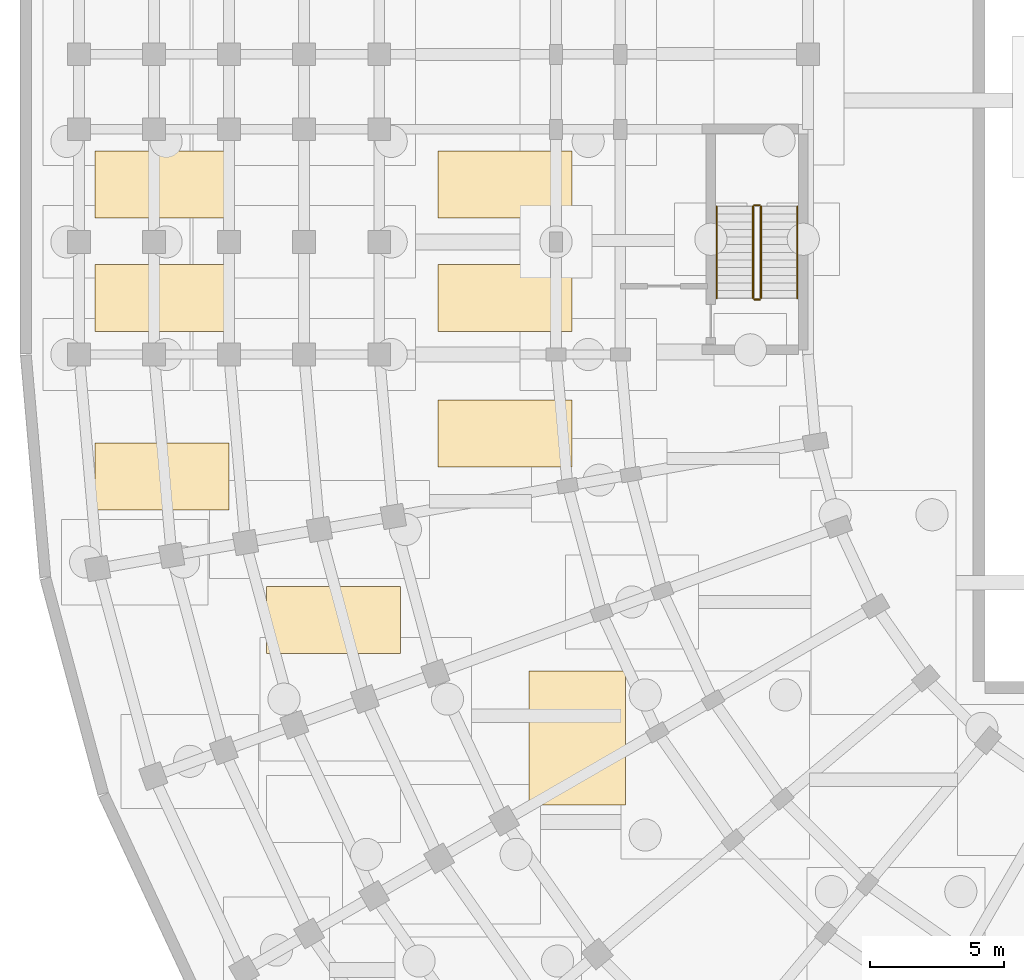
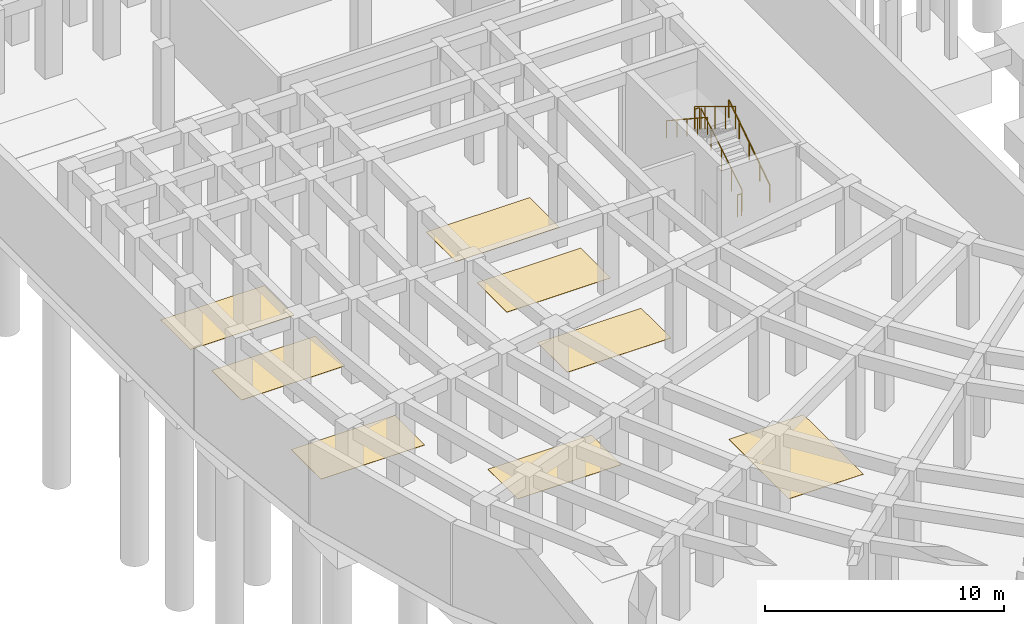
# One storey, part 42 of 53: 8 coverings, 6 railings.
"""IFC4 building model written with IfcOpenShell, lengths in metres."""

import ifcopenshell
import ifcopenshell.guid

model = None  # the IFC model being written
_history = None  # IfcOwnerHistory: only IFC2X3 demands one
_inside = {}  # id of a spatial element -> (the spatial element, [elements in it])
_under = {}  # id of a project, library or spatial element -> (it, [spatial elements below it])
_declared = {}  # id of a project -> (the project, [libraries it declares])
_typed = {}  # id of a type object -> (the type object, [elements of that type])
_made_of = {}  # id of a material, layer set ... -> (it, [elements and type objects made of it])


def new_model(schema):
    """Start an empty IFC model of exactly this schema.

    Asked for "IFC4X3", IfcOpenShell would pick the latest addendum, in which some entities
    have other attributes; the version numbers below select the first issue.
    IFC2X3 requires an IfcOwnerHistory on every rooted entity: one is made here for all.
    """
    global model, _history
    if schema == "IFC4X3":
        model = ifcopenshell.file(schema_version=(4, 3, 0, 0))
    else:
        model = ifcopenshell.file(schema=schema)
    _inside.clear()
    _under.clear()
    _declared.clear()
    _typed.clear()
    _made_of.clear()
    _history = None
    if model.schema == "IFC2X3":
        org = make("IfcOrganization", Name="unknown")
        user = make(
            "IfcPersonAndOrganization",
            ThePerson=make("IfcPerson", FamilyName="unknown"),
            TheOrganization=org,
        )
        app = make(
            "IfcApplication",
            ApplicationDeveloper=org,
            Version="unknown",
            ApplicationFullName="unknown",
            ApplicationIdentifier="unknown",
        )
        _history = make(
            "IfcOwnerHistory",
            OwningUser=user,
            OwningApplication=app,
            ChangeAction="ADDED",
            CreationDate=0,
        )
    return model


def make(cls, **values):
    """One entity of the class cls with the attributes given. An attribute that is None is left unset."""
    return model.create_entity(
        cls, **{name: value for name, value in values.items() if value is not None}
    )


def rooted(cls, **values):
    """An entity with a GlobalId (a new one), such as an element, a storey or a relation."""
    return make(cls, GlobalId=ifcopenshell.guid.new(), OwnerHistory=_history, **values)


def si_unit(unit_type, name, prefix=None):
    """IfcSIUnit, for example si_unit("LENGTHUNIT", "METRE", prefix="MILLI")."""
    return make("IfcSIUnit", UnitType=unit_type, Prefix=prefix, Name=name)


def assignment(units):
    """IfcUnitAssignment: the units of a project."""
    return None if units is None else make("IfcUnitAssignment", Units=units)


def point(xyz):
    """IfcCartesianPoint."""
    return None if xyz is None else make("IfcCartesianPoint", Coordinates=xyz)


def direction(xyz):
    """IfcDirection."""
    return None if xyz is None else make("IfcDirection", DirectionRatios=xyz)


def frame(location, z_axis=None, x_axis=None):
    """IfcAxis2Placement3D, a coordinate frame: its origin and axes. An axis left out is left unset."""
    return make(
        "IfcAxis2Placement3D",
        Location=point(location),
        Axis=direction(z_axis),
        RefDirection=direction(x_axis),
    )


def frame_2d(location, x_axis=None):
    """IfcAxis2Placement2D, a coordinate frame in the plane: its origin and x axis."""
    return make(
        "IfcAxis2Placement2D", Location=point(location), RefDirection=direction(x_axis)
    )


def origin():
    """The frame at (0, 0, 0) with its axes left unset."""
    return frame((0.0, 0.0, 0.0))


def origin_2d():
    """The frame at (0, 0) in the plane with its x axis left unset."""
    return frame_2d((0.0, 0.0))


def place(relative_to, where):
    """IfcLocalPlacement: puts the frame where relative to a parent placement (None: the world)."""
    return make(
        "IfcLocalPlacement", PlacementRelTo=relative_to, RelativePlacement=where
    )


def context(
    kind, dimensions, precision=None, world=None, true_north=None, identifier=None
):
    """IfcGeometricRepresentationContext, for example the 3D "Model" context."""
    return make(
        "IfcGeometricRepresentationContext",
        ContextIdentifier=identifier,
        ContextType=kind,
        CoordinateSpaceDimension=dimensions,
        Precision=precision,
        WorldCoordinateSystem=world,
        TrueNorth=true_north,
    )


def subcontext(parent, identifier, kind, view, scale=None):
    """IfcGeometricRepresentationSubContext, for example "Body" below "Model"."""
    return make(
        "IfcGeometricRepresentationSubContext",
        ContextIdentifier=identifier,
        ContextType=kind,
        ParentContext=parent,
        TargetScale=scale,
        TargetView=view,
    )


def project(units=None, contexts=None):
    """IfcProject with its units and contexts."""
    return rooted(
        "IfcProject",
        Name="project",
        RepresentationContexts=contexts,
        UnitsInContext=assignment(units),
    )


def spatial(cls, under=None, at=None, **own):
    """A site, building, storey or space (cls), placed at a placement, below another one or the project."""
    s = rooted(cls, ObjectPlacement=at, **own)
    if under is not None:
        _under.setdefault(under.id(), (under, []))[1].append(s)
    return s


def polyline(points):
    """IfcPolyline through the points."""
    return make("IfcPolyline", Points=[point(p) for p in points])


def profile(cls, at=None, kind="AREA", **sizes):
    """A parametric profile (cls). Its sizes go by their IFC names, for example OverallWidth=200.0."""
    return make(cls, ProfileType=kind, Position=at, **sizes)


def circle(**sizes):
    """IfcCircleProfileDef."""
    return profile("IfcCircleProfileDef", **sizes)


def outline(outer, holes=None, kind="AREA"):
    """IfcArbitraryClosedProfileDef: a profile drawn as a closed curve; with holes, ...WithVoids."""
    if holes is None:
        return make("IfcArbitraryClosedProfileDef", ProfileType=kind, OuterCurve=outer)
    return make(
        "IfcArbitraryProfileDefWithVoids",
        ProfileType=kind,
        OuterCurve=outer,
        InnerCurves=holes,
    )


def extrude(swept, where, along, depth):
    """IfcExtrudedAreaSolid: the profile swept, set in the frame where, extruded along a direction by depth."""
    return make(
        "IfcExtrudedAreaSolid",
        SweptArea=swept,
        Position=where,
        ExtrudedDirection=direction(along),
        Depth=depth,
    )


def shape(context_of_items, identifier, shape_type, items):
    """IfcShapeRepresentation: the items that make up one representation, for example the "Body"."""
    return make(
        "IfcShapeRepresentation",
        ContextOfItems=context_of_items,
        RepresentationIdentifier=identifier,
        RepresentationType=shape_type,
        Items=items,
    )


def material(Name=None, Category=None):
    """IfcMaterial."""
    return make("IfcMaterial", Name=Name, Category=Category)


def layer(
    of_material, thickness, ventilated=None, Name=None, Category=None, Priority=None
):
    """IfcMaterialLayer: one layer of a wall or slab, of a material (None: an air gap)."""
    return make(
        "IfcMaterialLayer",
        Material=of_material,
        LayerThickness=thickness,
        IsVentilated=ventilated,
        Name=Name,
        Category=Category,
        Priority=Priority,
    )


def layer_set(layers, Name=None):
    """IfcMaterialLayerSet."""
    return make("IfcMaterialLayerSet", MaterialLayers=layers, LayerSetName=Name)


def made_of(thing, what):
    """Note that an element or type object is made of a material, layer set ...; save() writes the relation."""
    if what is not None:
        _made_of.setdefault(what.id(), (what, []))[1].append(thing)
    return thing


def type_object(cls, material=None, **own):
    """A type object (cls), such as IfcWallType, which elements share."""
    return made_of(rooted(cls, **own), material)


def element(
    cls,
    number,
    at=None,
    inside=None,
    cuts=None,
    type_object=None,
    material=None,
    context=None,
    identifier="Body",
    shape_type=None,
    held_by="IfcProductDefinitionShape",
    body=None,
    shapes=None,
    **own,
):
    """One element of the class cls, such as IfcWall. Its Tag is "e" and its number.

    at: its placement. inside: the storey or other place that contains it. cuts: it is an
    opening in that element (IfcRelVoidsElement). A single representation is given by context,
    identifier, shape_type and body (its items); several are given by shapes. held_by: the class
    of the entity that holds the representations. save() writes the other relations.
    """
    e = rooted(cls, Tag="e%d" % number, ObjectPlacement=at, **own)
    if body is not None:
        shapes = [shape(context, identifier, shape_type, body)]
    if shapes is not None:
        e.Representation = make(held_by, Representations=shapes)
    if inside is not None:
        _inside.setdefault(inside.id(), (inside, []))[1].append(e)
    if cuts is not None:
        rooted(
            "IfcRelVoidsElement", RelatingBuildingElement=cuts, RelatedOpeningElement=e
        )
    if type_object is not None:
        _typed.setdefault(type_object.id(), (type_object, []))[1].append(e)
    return made_of(e, material)


def aggregate(whole, parts):
    """IfcRelAggregates: a whole, such as a stair, and the parts it consists of."""
    return rooted("IfcRelAggregates", RelatingObject=whole, RelatedObjects=parts)


def save(model, path):
    """Write the relations noted so far, then the file.

    IfcRelAggregates (storeys below a building ...), IfcRelContainedInSpatialStructure (elements
    in a storey), IfcRelDefinesByType, IfcRelAssociatesMaterial and IfcRelDeclares: one each for
    every whole, place, type object, material and project.
    """
    for whole, parts in _under.values():
        aggregate(whole, parts)
    for where, things in _inside.values():
        rooted(
            "IfcRelContainedInSpatialStructure",
            RelatedElements=things,
            RelatingStructure=where,
        )
    for kind, things in _typed.values():
        rooted("IfcRelDefinesByType", RelatedObjects=things, RelatingType=kind)
    for what, things in _made_of.values():
        rooted("IfcRelAssociatesMaterial", RelatedObjects=things, RelatingMaterial=what)
    for by, libraries in _declared.values():
        rooted("IfcRelDeclares", RelatingContext=by, RelatedDefinitions=libraries)
    model.write(path)


model = new_model("IFC4")

# Units and contexts
model_context = context("Model", 3, precision=1e-05, world=origin(), true_north=direction((0.0, 1.0)))
body_context = subcontext(model_context, "Body", "Model", "MODEL_VIEW")
ifc_project = project(units=[si_unit("LENGTHUNIT", "METRE"), si_unit("AREAUNIT", "SQUARE_METRE"), si_unit("VOLUMEUNIT", "CUBIC_METRE"), si_unit("PLANEANGLEUNIT", "RADIAN"), si_unit("MASSUNIT", "GRAM", prefix="KILO")], contexts=[model_context])

# Site, building, storey
site_placement = place(None, origin())
site = spatial("IfcSite", under=ifc_project, at=site_placement, CompositionType="ELEMENT")
building_placement = place(site_placement, origin())
building = spatial("IfcBuilding", under=site, at=building_placement, Name="Kiranvali Square Residences", CompositionType="ELEMENT")
storey_placement = place(building_placement, frame((0.0, 0.0, -4.5)))
storey = spatial("IfcBuildingStorey", under=building, at=storey_placement, Name="B1", CompositionType="ELEMENT", Elevation=-4.5)

# Coverings
ifc_material_1 = material(Name="Polished terrazzo and anti-slip vitrified floor finish", Category="stone")
ifc_layer_1 = layer(ifc_material_1, 0.014892578125)
ifc_layer_set_1 = layer_set([ifc_layer_1], Name="Polished terrazzo and anti-slip vitrified floor finish")
covering_type_1 = type_object("IfcCoveringType", Name="COV-BAY-ACC", PredefinedType="FLOORING", material=ifc_layer_set_1)
covering_1_placement = place(storey_placement, origin())
element("IfcCovering", 1, at=covering_1_placement, inside=storey, type_object=covering_type_1, Name="Accessible Parking Bay ACC-06", PredefinedType="FLOORING", context=body_context, shape_type="SweptSolid", body=[
    extrude(outline(polyline([(19.0, 31.39990234375), (22.60009765625, 31.39990234375), (22.60009765625, 36.39990234375), (19.0, 36.39990234375), (19.0, 31.39990234375)])), origin(), (0.0, 0.0, 1.0), 0.014892578125),
])
ifc_layer_2 = layer(ifc_material_1, 0.014892578125)
ifc_layer_set_2 = layer_set([ifc_layer_2], Name="Polished terrazzo and anti-slip vitrified floor finish")
covering_type_2 = type_object("IfcCoveringType", Name="COV-BAY-STD", PredefinedType="FLOORING", material=ifc_layer_set_2)
covering_2_placement = place(storey_placement, origin())
element("IfcCovering", 2, at=covering_2_placement, inside=storey, type_object=covering_type_2, Name="Standard Car Parking Bay P-037", PredefinedType="FLOORING", context=body_context, shape_type="SweptSolid", body=[
    extrude(outline(polyline([(2.800048828125, 42.39990234375), (7.800048828125, 42.39990234375), (7.800048828125, 44.89990234375), (2.800048828125, 44.89990234375), (2.800048828125, 42.39990234375)])), origin(), (0.0, 0.0, 1.0), 0.014892578125),
])
covering_3_placement = place(storey_placement, origin())
element("IfcCovering", 3, at=covering_3_placement, inside=storey, type_object=covering_type_2, Name="Standard Car Parking Bay P-038", PredefinedType="FLOORING", context=body_context, shape_type="SweptSolid", body=[
    extrude(outline(polyline([(2.800048828125, 49.050048828125), (7.800048828125, 49.050048828125), (7.800048828125, 51.550048828125), (2.800048828125, 51.550048828125), (2.800048828125, 49.050048828125)])), origin(), (0.0, 0.0, 1.0), 0.014892578125),
])
covering_4_placement = place(storey_placement, origin())
element("IfcCovering", 4, at=covering_4_placement, inside=storey, type_object=covering_type_2, Name="Standard Car Parking Bay P-039", PredefinedType="FLOORING", context=body_context, shape_type="SweptSolid", body=[
    extrude(outline(polyline([(2.800048828125, 53.300048828125), (7.800048828125, 53.300048828125), (7.800048828125, 55.800048828125), (2.800048828125, 55.800048828125), (2.800048828125, 53.300048828125)])), origin(), (0.0, 0.0, 1.0), 0.014892578125),
])
covering_5_placement = place(storey_placement, origin())
element("IfcCovering", 5, at=covering_5_placement, inside=storey, type_object=covering_type_2, Name="Standard Car Parking Bay P-045", PredefinedType="FLOORING", context=body_context, shape_type="SweptSolid", body=[
    extrude(outline(polyline([(9.199951171875, 37.050048828125), (14.199951171875, 37.050048828125), (14.199951171875, 39.550048828125), (9.199951171875, 39.550048828125), (9.199951171875, 37.050048828125)])), origin(), (0.0, 0.0, 1.0), 0.014892578125),
])
covering_6_placement = place(storey_placement, origin())
element("IfcCovering", 6, at=covering_6_placement, inside=storey, type_object=covering_type_2, Name="Standard Car Parking Bay P-048", PredefinedType="FLOORING", context=body_context, shape_type="SweptSolid", body=[
    extrude(outline(polyline([(15.60009765625, 44.0), (20.60009765625, 44.0), (20.60009765625, 46.5), (15.60009765625, 46.5), (15.60009765625, 44.0)])), origin(), (0.0, 0.0, 1.0), 0.014892578125),
])
covering_7_placement = place(storey_placement, origin())
element("IfcCovering", 7, at=covering_7_placement, inside=storey, type_object=covering_type_2, Name="Standard Car Parking Bay P-049", PredefinedType="FLOORING", context=body_context, shape_type="SweptSolid", body=[
    extrude(outline(polyline([(15.60009765625, 49.050048828125), (20.60009765625, 49.050048828125), (20.60009765625, 51.550048828125), (15.60009765625, 51.550048828125), (15.60009765625, 49.050048828125)])), origin(), (0.0, 0.0, 1.0), 0.014892578125),
])
covering_8_placement = place(storey_placement, origin())
element("IfcCovering", 8, at=covering_8_placement, inside=storey, type_object=covering_type_2, Name="Standard Car Parking Bay P-050", PredefinedType="FLOORING", context=body_context, shape_type="SweptSolid", body=[
    extrude(outline(polyline([(15.60009765625, 53.300048828125), (20.60009765625, 53.300048828125), (20.60009765625, 55.800048828125), (15.60009765625, 55.800048828125), (15.60009765625, 53.300048828125)])), origin(), (0.0, 0.0, 1.0), 0.014892578125),
])

# Railings
ifc_material_2 = material(Name="Brushed stainless steel tubular handrail", Category="steel")
railing_type_1 = type_object("IfcRailingType", Name="RL-HANDRAIL-900", PredefinedType="HANDRAIL", material=ifc_material_2)
railing_1_placement = place(storey_placement, frame((29.0, 50.300048828125, 0.173095703125)))
element("IfcRailing", 9, at=railing_1_placement, inside=storey, type_object=railing_type_1, Name="B1 ST-C3 stair handrail 1", PredefinedType="HANDRAIL", context=body_context, shape_type="SweptSolid", body=[
    extrude(circle(Radius=0.02392578125, at=origin_2d()), frame((0.0, 0.0, 0.8759765625), z_axis=(0.0, 0.835411317272, 0.549625264133), x_axis=(-1.0, 0.0, 0.0)), (0.0, 0.0, 1.0), 4.09375),
    extrude(circle(Radius=0.02099609375, at=origin_2d()), origin(), (0.0, 0.0, 1.0), 0.851806640625),
    extrude(circle(Radius=0.02099609375, at=origin_2d()), frame((0.0, 0.85498046875, 0.5625)), (0.0, 0.0, 1.0), 0.851806640625),
    extrude(circle(Radius=0.02099609375, at=origin_2d()), frame((0.0, 1.7099609375, 1.125)), (0.0, 0.0, 1.0), 0.851806640625),
    extrude(circle(Radius=0.02099609375, at=origin_2d()), frame((0.0, 2.56494140625, 1.6875)), (0.0, 0.0, 1.0), 0.851806640625),
    extrude(circle(Radius=0.02099609375, at=origin_2d()), frame((0.0, 3.419921875, 2.25)), (0.0, 0.0, 1.0), 0.851806640625),
])
railing_2_placement = place(storey_placement, frame((26.0, 53.719970703125, 2.423095703125)))
element("IfcRailing", 10, at=railing_2_placement, inside=storey, type_object=railing_type_1, Name="B1 ST-C3 stair handrail 2", PredefinedType="HANDRAIL", context=body_context, shape_type="SweptSolid", body=[
    extrude(circle(Radius=0.02392578125, at=origin_2d()), frame((0.0, 0.0, 0.8759765625), z_axis=(0.0, -0.835411317272, 0.549625264133), x_axis=(1.0, 0.0, 0.0)), (0.0, 0.0, 1.0), 4.09375),
    extrude(circle(Radius=0.02099609375, at=origin_2d()), origin(), (0.0, 0.0, 1.0), 0.851806640625),
    extrude(circle(Radius=0.02099609375, at=origin_2d()), frame((0.0, -0.85498046875, 0.5625)), (0.0, 0.0, 1.0), 0.851806640625),
    extrude(circle(Radius=0.02099609375, at=origin_2d()), frame((0.0, -1.7099609375, 1.125)), (0.0, 0.0, 1.0), 0.851806640625),
    extrude(circle(Radius=0.02099609375, at=origin_2d()), frame((0.0, -2.56494140625, 1.6875)), (0.0, 0.0, 1.0), 0.851806640625),
    extrude(circle(Radius=0.02099609375, at=origin_2d()), frame((0.0, -3.419921875, 2.25)), (0.0, 0.0, 1.0), 0.851806640625),
])
ifc_material_3 = material(Name="Powder-coated architectural bronze balustrade", Category="steel")
railing_type_2 = type_object("IfcRailingType", Name="RL-ST-GUARD-1200", PredefinedType="GUARDRAIL", material=ifc_material_3)
railing_3_placement = place(storey_placement, frame((27.64990234375, 50.300048828125, 0.173095703125)))
element("IfcRailing", 11, at=railing_3_placement, inside=storey, type_object=railing_type_2, Name="B1 ST-C3 stair guard 1", PredefinedType="GUARDRAIL", context=body_context, shape_type="SweptSolid", body=[
    extrude(circle(Radius=0.02392578125, at=origin_2d()), frame((0.0, 0.0, 1.1259765625), z_axis=(0.0, 0.854729506542, 0.519073665916), x_axis=(-1.0, 0.0, 0.0)), (0.0, 0.0, 1.0), 4.001220703125),
    extrude(circle(Radius=0.02099609375, at=origin_2d()), origin(), (0.0, 0.0, 1.0), 1.101806640625),
    extrude(circle(Radius=0.02099609375, at=origin_2d()), frame((0.0, 0.85498046875, 0.519287109375)), (0.0, 0.0, 1.0), 1.101806640625),
    extrude(circle(Radius=0.02099609375, at=origin_2d()), frame((0.0, 1.7099609375, 1.03857421875)), (0.0, 0.0, 1.0), 1.101806640625),
    extrude(circle(Radius=0.02099609375, at=origin_2d()), frame((0.0, 2.56494140625, 1.5576171875)), (0.0, 0.0, 1.0), 1.101806640625),
    extrude(circle(Radius=0.02099609375, at=origin_2d()), frame((0.0, 3.419921875, 2.076904296875)), (0.0, 0.0, 1.0), 1.101806640625),
])
railing_4_placement = place(storey_placement, frame((27.60009765625, 53.77001953125, 2.25)))
element("IfcRailing", 12, at=railing_4_placement, inside=storey, type_object=railing_type_2, Name="B1 ST-C3 stair guard 2", PredefinedType="GUARDRAIL", context=body_context, shape_type="SweptSolid", body=[
    extrude(circle(Radius=0.02392578125, at=origin_2d()), frame((0.0, 0.0, 1.1259765625), z_axis=(-1.0, 0.0, 0.0), x_axis=(0.0, -1.0, 0.0)), (0.0, 0.0, 1.0), 0.2001953125),
    extrude(circle(Radius=0.02099609375, at=origin_2d()), origin(), (0.0, 0.0, 1.0), 1.101806640625),
    extrude(circle(Radius=0.02099609375, at=origin_2d()), frame((-0.2001953125, 0.0, 0.0)), (0.0, 0.0, 1.0), 1.101806640625),
])
railing_5_placement = place(storey_placement, frame((27.35009765625, 53.719970703125, 2.423095703125)))
element("IfcRailing", 13, at=railing_5_placement, inside=storey, type_object=railing_type_2, Name="B1 ST-C3 stair guard 3", PredefinedType="GUARDRAIL", context=body_context, shape_type="SweptSolid", body=[
    extrude(circle(Radius=0.02392578125, at=origin_2d()), frame((0.0, 0.0, 1.1259765625), z_axis=(0.0, -0.854729506542, 0.519073665916), x_axis=(1.0, 0.0, 0.0)), (0.0, 0.0, 1.0), 4.001220703125),
    extrude(circle(Radius=0.02099609375, at=origin_2d()), origin(), (0.0, 0.0, 1.0), 1.101806640625),
    extrude(circle(Radius=0.02099609375, at=origin_2d()), frame((0.0, -0.85498046875, 0.519287109375)), (0.0, 0.0, 1.0), 1.101806640625),
    extrude(circle(Radius=0.02099609375, at=origin_2d()), frame((0.0, -1.7099609375, 1.03857421875)), (0.0, 0.0, 1.0), 1.101806640625),
    extrude(circle(Radius=0.02099609375, at=origin_2d()), frame((0.0, -2.56494140625, 1.5576171875)), (0.0, 0.0, 1.0), 1.101806640625),
    extrude(circle(Radius=0.02099609375, at=origin_2d()), frame((0.0, -3.419921875, 2.076904296875)), (0.0, 0.0, 1.0), 1.101806640625),
])
railing_6_placement = place(storey_placement, frame((27.60009765625, 50.25, 0.0)))
element("IfcRailing", 14, at=railing_6_placement, inside=storey, type_object=railing_type_2, Name="B1 ST-C3 stair guard 4", PredefinedType="GUARDRAIL", context=body_context, shape_type="SweptSolid", body=[
    extrude(circle(Radius=0.02392578125, at=origin_2d()), frame((0.0, 0.0, 1.1259765625), z_axis=(-1.0, 0.0, 0.0), x_axis=(0.0, -1.0, 0.0)), (0.0, 0.0, 1.0), 0.2001953125),
    extrude(circle(Radius=0.02099609375, at=origin_2d()), origin(), (0.0, 0.0, 1.0), 1.101806640625),
    extrude(circle(Radius=0.02099609375, at=origin_2d()), frame((-0.2001953125, 0.0, 0.0)), (0.0, 0.0, 1.0), 1.101806640625),
])

save(model, "model.ifc")
